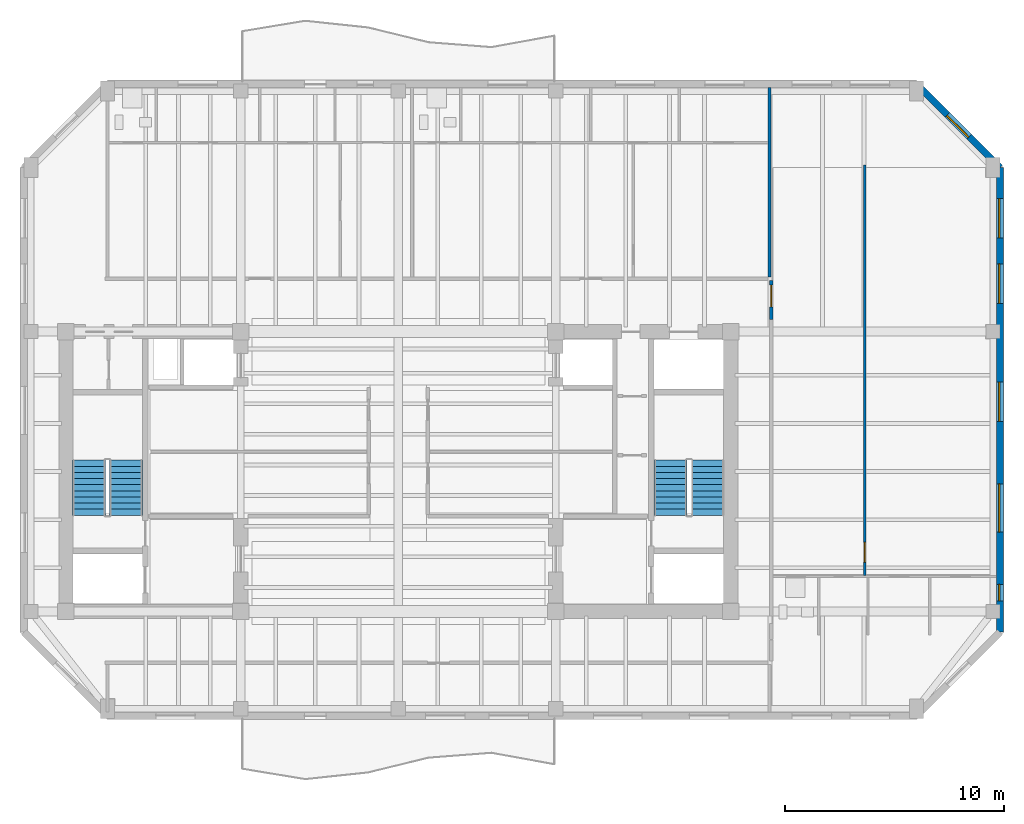
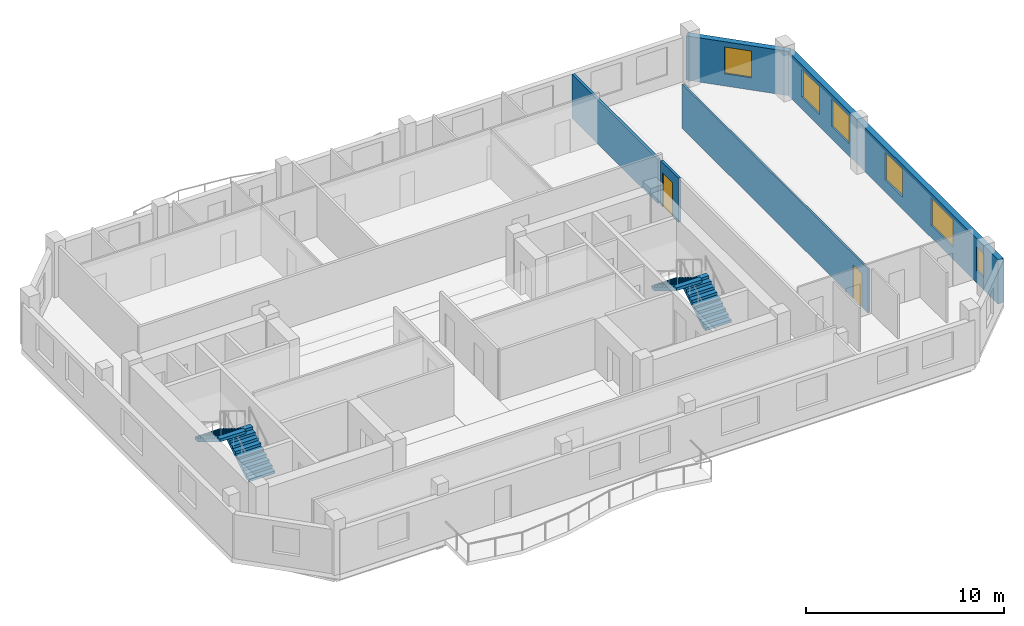
# One storey, part 6 of 9: 6 windows, 5 walls, 4 stair flights, 2 doors, 8 openings, 2 elements without a shape of their own.
"""IFC4 building model written with IfcOpenShell, lengths in metres."""

from ifc_helpers import new_model, si_unit, direction, frame, frame_2d, origin, place, context, subcontext, project, spatial, polyline, rectangle, outline, extrude, material, layer, layer_set, type_object, element, fill, aggregate, save


model = new_model("IFC4")

# Units and contexts
model_context = context("Model", 3, precision=1e-05, world=origin(), true_north=direction((0.0, 1.0)))
body_context = subcontext(model_context, "Body", "Model", "MODEL_VIEW")
ifc_project = project(units=[si_unit("LENGTHUNIT", "METRE"), si_unit("AREAUNIT", "SQUARE_METRE"), si_unit("VOLUMEUNIT", "CUBIC_METRE"), si_unit("PLANEANGLEUNIT", "RADIAN"), si_unit("MASSUNIT", "GRAM", prefix="KILO")], contexts=[model_context])

# Site, building, storey
site_placement = place(None, origin())
site = spatial("IfcSite", under=ifc_project, at=site_placement, CompositionType="ELEMENT")
building_placement = place(site_placement, origin())
building = spatial("IfcBuilding", under=site, at=building_placement, Name="Kranthara Brick Stack", CompositionType="ELEMENT")
storey_placement = place(building_placement, frame((0.0, 0.0, 251.699951171875)))
storey = spatial("IfcBuildingStorey", under=building, at=storey_placement, Name="L66", CompositionType="ELEMENT", Elevation=251.699951171875)

# Wall, opening, window
ifc_material_1 = material(Name="Warm buff clay brick masonry M15", Category="masonry")
ifc_layer_1 = layer(ifc_material_1, 0.320068359375)
ifc_layer_set_1 = layer_set([ifc_layer_1], Name="Warm buff clay brick masonry M15")
wall_type_1 = type_object("IfcWallType", Name="WL-BRK-UPPR-320", PredefinedType="STANDARD", material=ifc_layer_set_1)
wall_1_placement = place(storey_placement, frame((51.699951171875, 44.919921875, 0.0), z_axis=(0.0, 0.0, 1.0), x_axis=(0.70712937715, -0.707084184501, 0.0)))
wall_1 = element("IfcWall", 1, at=wall_1_placement, inside=storey, type_object=wall_type_1, Name="L66 Exterior Brick Facade Wall NE 1", PredefinedType="STANDARD", context=body_context, shape_type="SweptSolid", body=[
    extrude(rectangle(XDim=5.402099609375, YDim=0.320068359375, at=frame_2d((2.701171875, 0.0))), origin(), (0.0, 0.0, 1.0), 2.72509765625),
])
opening_1_placement = place(wall_1_placement, frame((2.0009765625, 0.0, 0.75)))
opening_1 = element("IfcOpeningElement", 2, at=opening_1_placement, cuts=wall_1, Name="Opening WN10", PredefinedType="OPENING", context=body_context, shape_type="SweptSolid", body=[
    extrude(rectangle(XDim=1.39990234375, YDim=1.64990234375, at=frame_2d((0.699951171875, 0.824951171875))), frame((0.0, 0.169921875, 0.0), z_axis=(0.0, -1.0, 0.0), x_axis=(1.0, 0.0, 0.0)), (0.0, 0.0, 1.0), 0.340087890625),
])
ifc_material_2 = material(Name="Double-glazed low-E solar control glass", Category="glass")
window_type_1 = type_object("IfcWindowType", Name="WN-CHM-1400x1750", PartitioningType="SINGLE_PANEL", PredefinedType="WINDOW", material=ifc_material_2)
window_1_placement = place(opening_1_placement, origin())
window_1 = element("IfcWindow", 3, at=window_1_placement, inside=storey, type_object=window_type_1, Name="L66 NE Chamfer Corner Window", OverallHeight=1.64990234375, OverallWidth=1.39990234375, PartitioningType="SINGLE_PANEL", PredefinedType="WINDOW", context=body_context, shape_type="SweptSolid", body=[
    extrude(rectangle(XDim=1.39990234375, YDim=1.64990234375, at=frame_2d((0.699951171875, 0.824951171875))), frame((0.0, -0.010009765625, 0.0), z_axis=(0.0, -1.0, 0.0), x_axis=(1.0, 0.0, 0.0)), (0.0, 0.0, 1.0), 0.06005859375),
])
fill(opening_1, window_1)

# Wall, openings, windows
wall_2_placement = place(storey_placement, frame((55.52001953125, 41.10009765625, 0.0), z_axis=(0.0, 0.0, 1.0), x_axis=(0.0, -1.0, 0.0)))
wall_2 = element("IfcWall", 4, at=wall_2_placement, inside=storey, type_object=wall_type_1, Name="L66 Exterior Brick Facade Wall EAST 1", PredefinedType="STANDARD", context=body_context, shape_type="SweptSolid", body=[
    extrude(rectangle(XDim=21.25, YDim=0.320068359375, at=frame_2d((10.625, 0.0))), origin(), (0.0, 0.0, 1.0), 2.72509765625),
])
opening_2_placement = place(wall_2_placement, frame((1.4189453125, 0.0, 0.75)))
opening_2 = element("IfcOpeningElement", 5, at=opening_2_placement, cuts=wall_2, Name="Opening WN07", PredefinedType="OPENING", context=body_context, shape_type="SweptSolid", body=[
    extrude(rectangle(XDim=1.800048828125, YDim=1.699951171875, at=frame_2d((0.89990234375, 0.85009765625))), frame((0.0, 0.169921875, 0.0), z_axis=(0.0, -1.0, 0.0), x_axis=(1.0, 0.0, 0.0)), (0.0, 0.0, 1.0), 0.340087890625),
])
opening_3_placement = place(wall_2_placement, frame((4.406005859375, 0.0, 0.75)))
opening_3 = element("IfcOpeningElement", 6, at=opening_3_placement, cuts=wall_2, Name="Opening WN07", PredefinedType="OPENING", context=body_context, shape_type="SweptSolid", body=[
    extrude(rectangle(XDim=1.800048828125, YDim=1.699951171875, at=frame_2d((0.89990234375, 0.85009765625))), frame((0.0, 0.169921875, 0.0), z_axis=(0.0, -1.0, 0.0), x_axis=(1.0, 0.0, 0.0)), (0.0, 0.0, 1.0), 0.340087890625),
])
opening_4_placement = place(wall_2_placement, frame((9.806884765625, 0.0, 0.75)))
opening_4 = element("IfcOpeningElement", 7, at=opening_4_placement, cuts=wall_2, Name="Opening WN07", PredefinedType="OPENING", context=body_context, shape_type="SweptSolid", body=[
    extrude(rectangle(XDim=1.800048828125, YDim=1.699951171875, at=frame_2d((0.89990234375, 0.85009765625))), frame((0.0, 0.169921875, 0.0), z_axis=(0.0, -1.0, 0.0), x_axis=(1.0, 0.0, 0.0)), (0.0, 0.0, 1.0), 0.340087890625),
])
opening_5_placement = place(wall_2_placement, frame((14.468017578125, 0.0, 0.75)))
opening_5 = element("IfcOpeningElement", 8, at=opening_5_placement, cuts=wall_2, Name="Opening WN08", PredefinedType="OPENING", context=body_context, shape_type="SweptSolid", body=[
    extrude(rectangle(XDim=2.199951171875, YDim=1.699951171875, at=frame_2d((1.10009765625, 0.85009765625))), frame((0.0, 0.169921875, 0.0), z_axis=(0.0, -1.0, 0.0), x_axis=(1.0, 0.0, 0.0)), (0.0, 0.0, 1.0), 0.340087890625),
])
opening_6_placement = place(wall_2_placement, frame((19.06201171875, 0.0, 0.75)))
opening_6 = element("IfcOpeningElement", 9, at=opening_6_placement, cuts=wall_2, Name="Opening WN13", PredefinedType="OPENING", context=body_context, shape_type="SweptSolid", body=[
    extrude(rectangle(XDim=0.75, YDim=1.449951171875, at=frame_2d((0.375, 0.72509765625))), frame((0.0, 0.169921875, 0.0), z_axis=(0.0, -1.0, 0.0), x_axis=(1.0, 0.0, 0.0)), (0.0, 0.0, 1.0), 0.340087890625),
])
ifc_material_3 = material(Name="Double-glazed low-E solar control glass", Category="glass")
window_type_2 = type_object("IfcWindowType", Name="WN-CAS-750x1450", PartitioningType="SINGLE_PANEL", PredefinedType="WINDOW", material=ifc_material_3)
window_2_placement = place(opening_6_placement, origin())
window_2 = element("IfcWindow", 10, at=window_2_placement, inside=storey, type_object=window_type_2, Name="L66 East Deep-Set Casement Window 05", OverallHeight=1.449951171875, OverallWidth=0.75, PartitioningType="SINGLE_PANEL", PredefinedType="WINDOW", context=body_context, shape_type="SweptSolid", body=[
    extrude(rectangle(XDim=0.75, YDim=1.449951171875, at=frame_2d((0.375, 0.72509765625))), frame((0.0, -0.010009765625, 0.0), z_axis=(0.0, -1.0, 0.0), x_axis=(1.0, 0.0, 0.0)), (0.0, 0.0, 1.0), 0.06005859375),
])
fill(opening_6, window_2)
ifc_material_4 = material(Name="Double-glazed low-E solar control glass", Category="glass")
window_type_3 = type_object("IfcWindowType", Name="WN-RES-1800x1850", PartitioningType="DOUBLE_PANEL_VERTICAL", PredefinedType="WINDOW", material=ifc_material_4)
window_3_placement = place(opening_2_placement, origin())
window_3 = element("IfcWindow", 11, at=window_3_placement, inside=storey, type_object=window_type_3, Name="L66 East Deep-Set Brick Window 01", OverallHeight=1.699951171875, OverallWidth=1.800048828125, PartitioningType="SINGLE_PANEL", PredefinedType="WINDOW", context=body_context, shape_type="SweptSolid", body=[
    extrude(rectangle(XDim=1.800048828125, YDim=1.699951171875, at=frame_2d((0.89990234375, 0.85009765625))), frame((0.0, -0.010009765625, 0.0), z_axis=(0.0, -1.0, 0.0), x_axis=(1.0, 0.0, 0.0)), (0.0, 0.0, 1.0), 0.06005859375),
])
fill(opening_2, window_3)
window_4_placement = place(opening_3_placement, origin())
window_4 = element("IfcWindow", 12, at=window_4_placement, inside=storey, type_object=window_type_3, Name="L66 East Deep-Set Brick Window 02", OverallHeight=1.699951171875, OverallWidth=1.800048828125, PartitioningType="SINGLE_PANEL", PredefinedType="WINDOW", context=body_context, shape_type="SweptSolid", body=[
    extrude(rectangle(XDim=1.800048828125, YDim=1.699951171875, at=frame_2d((0.89990234375, 0.85009765625))), frame((0.0, -0.010009765625, 0.0), z_axis=(0.0, -1.0, 0.0), x_axis=(1.0, 0.0, 0.0)), (0.0, 0.0, 1.0), 0.06005859375),
])
fill(opening_3, window_4)
window_5_placement = place(opening_4_placement, origin())
window_5 = element("IfcWindow", 13, at=window_5_placement, inside=storey, type_object=window_type_3, Name="L66 East Deep-Set Brick Window 03", OverallHeight=1.699951171875, OverallWidth=1.800048828125, PartitioningType="SINGLE_PANEL", PredefinedType="WINDOW", context=body_context, shape_type="SweptSolid", body=[
    extrude(rectangle(XDim=1.800048828125, YDim=1.699951171875, at=frame_2d((0.89990234375, 0.85009765625))), frame((0.0, -0.010009765625, 0.0), z_axis=(0.0, -1.0, 0.0), x_axis=(1.0, 0.0, 0.0)), (0.0, 0.0, 1.0), 0.06005859375),
])
fill(opening_4, window_5)
ifc_material_5 = material(Name="Double-glazed low-E solar control glass", Category="glass")
window_type_4 = type_object("IfcWindowType", Name="WN-RES-2200x1850", PartitioningType="TRIPLE_PANEL_VERTICAL", PredefinedType="WINDOW", material=ifc_material_5)
window_6_placement = place(opening_5_placement, origin())
window_6 = element("IfcWindow", 14, at=window_6_placement, inside=storey, type_object=window_type_4, Name="L66 East Deep-Set Brick Window 04", OverallHeight=1.699951171875, OverallWidth=2.199951171875, PartitioningType="SINGLE_PANEL", PredefinedType="WINDOW", context=body_context, shape_type="SweptSolid", body=[
    extrude(rectangle(XDim=2.199951171875, YDim=1.699951171875, at=frame_2d((1.10009765625, 0.85009765625))), frame((0.0, -0.010009765625, 0.0), z_axis=(0.0, -1.0, 0.0), x_axis=(1.0, 0.0, 0.0)), (0.0, 0.0, 1.0), 0.06005859375),
])
fill(opening_5, window_6)

# Wall, opening, door
ifc_material_6 = material(Name="Moisture-resistant wet-room partition", Category="other")
ifc_layer_2 = layer(ifc_material_6, 0.10009765625)
ifc_layer_set_2 = layer_set([ifc_layer_2], Name="Moisture-resistant wet-room partition")
wall_type_2 = type_object("IfcWallType", Name="WL-PART-100", PredefinedType="PARTITIONING", material=ifc_layer_set_2)
wall_3_placement = place(storey_placement, frame((49.3291015625, 22.455078125, 0.0), z_axis=(0.0, 0.0, 1.0), x_axis=(0.0, 1.0, 0.0)))
wall_3 = element("IfcWall", 15, at=wall_3_placement, inside=storey, type_object=wall_type_2, Name="L66 Interior Partition 033", PredefinedType="PARTITIONING", context=body_context, shape_type="SweptSolid", body=[
    extrude(rectangle(XDim=18.764892578125, YDim=0.10009765625, at=frame_2d((9.38232421875, 0.0))), origin(), (0.0, 0.0, 1.0), 2.72509765625),
])
opening_7_placement = place(wall_3_placement, frame((0.60498046875, 0.0, 0.0)))
opening_7 = element("IfcOpeningElement", 16, at=opening_7_placement, cuts=wall_3, Name="Opening D15", PredefinedType="OPENING", context=body_context, shape_type="SweptSolid", body=[
    extrude(rectangle(XDim=0.89990234375, YDim=2.050048828125, at=frame_2d((0.449951171875, 1.02490234375))), frame((0.0, 0.06005859375, 0.0), z_axis=(0.0, -1.0, 0.0), x_axis=(1.0, 0.0, 0.0)), (0.0, 0.0, 1.0), 0.1201171875),
])
ifc_material_7 = material(Name="Solid-core hardwood timber leaf in steel frame", Category="steel")
door_type_1 = type_object("IfcDoorType", Name="DR-INT-900", OperationType="NOTDEFINED", PredefinedType="DOOR", material=ifc_material_7)
door_1_placement = place(opening_7_placement, origin())
door_1 = element("IfcDoor", 17, at=door_1_placement, inside=storey, type_object=door_type_1, Name="L66 Unit L66C Study 22", OperationType="SINGLE_SWING_RIGHT", OverallHeight=2.050048828125, OverallWidth=0.89990234375, PredefinedType="DOOR", context=body_context, shape_type="SweptSolid", body=[
    extrude(rectangle(XDim=0.89990234375, YDim=2.050048828125, at=frame_2d((0.449951171875, 1.02490234375))), frame((0.0, 0.02490234375, 0.0), z_axis=(0.0, -1.0, 0.0), x_axis=(1.0, 0.0, 0.0)), (0.0, 0.0, 1.0), 0.050048828125),
])
fill(opening_7, door_1)

# Wall
ifc_material_8 = material(Name="Fire-rated gypsum board partition", Category="other")
ifc_layer_3 = layer(ifc_material_8, 0.14990234375)
ifc_layer_set_3 = layer_set([ifc_layer_3], Name="Fire-rated gypsum board partition")
wall_type_3 = type_object("IfcWallType", Name="WL-PART-150", PredefinedType="PARTITIONING", material=ifc_layer_set_3)
wall_4_placement = place(storey_placement, frame((44.97998046875, 36.10009765625, 0.0), z_axis=(0.0, 0.0, 1.0), x_axis=(0.0, 1.0, 0.0)))
element("IfcWall", 18, at=wall_4_placement, inside=storey, type_object=wall_type_3, Name="L66 Interior Partition 026", PredefinedType="PARTITIONING", context=body_context, shape_type="SweptSolid", body=[
    extrude(rectangle(XDim=8.65478515625, YDim=0.14990234375, at=frame_2d((4.327392578125, 0.0))), origin(), (0.0, 0.0, 1.0), 2.72509765625),
])

# Wall, opening, door
wall_5_placement = place(storey_placement, frame((45.050048828125, 34.14990234375, 0.0), z_axis=(0.0, 0.0, 1.0), x_axis=(0.0, 1.0, 0.0)))
wall_5 = element("IfcWall", 19, at=wall_5_placement, inside=storey, type_object=wall_type_3, Name="L66 Interior Partition 030", PredefinedType="PARTITIONING", context=body_context, shape_type="SweptSolid", body=[
    extrude(rectangle(XDim=1.7900390625, YDim=0.14990234375, at=frame_2d((0.89501953125, 0.0))), origin(), (0.0, 0.0, 1.0), 2.72509765625),
])
opening_8_placement = place(wall_5_placement, frame((0.580078125, 0.0, 0.0)))
opening_8 = element("IfcOpeningElement", 20, at=opening_8_placement, cuts=wall_5, Name="Opening D08", PredefinedType="OPENING", context=body_context, shape_type="SweptSolid", body=[
    extrude(rectangle(XDim=1.0, YDim=2.10009765625, at=frame_2d((0.5, 1.050048828125))), frame((0.0, 0.0849609375, 0.0), z_axis=(0.0, -1.0, 0.0), x_axis=(1.0, 0.0, 0.0)), (0.0, 0.0, 1.0), 0.169921875),
])
ifc_material_9 = material(Name="Solid-core hardwood timber leaf in steel frame", Category="steel")
door_type_2 = type_object("IfcDoorType", Name="DR-FD-1000", OperationType="NOTDEFINED", PredefinedType="DOOR", material=ifc_material_9)
door_2_placement = place(opening_8_placement, origin())
door_2 = element("IfcDoor", 21, at=door_2_placement, inside=storey, type_object=door_type_2, Name="L66 Unit L66C Entrance 21", OperationType="SINGLE_SWING_LEFT", OverallHeight=2.10009765625, OverallWidth=1.0, PredefinedType="DOOR", context=body_context, shape_type="SweptSolid", body=[
    extrude(rectangle(XDim=1.0, YDim=2.10009765625, at=frame_2d((0.5, 1.050048828125))), frame((0.0, 0.02490234375, 0.0), z_axis=(0.0, -1.0, 0.0), x_axis=(1.0, 0.0, 0.0)), (0.0, 0.0, 1.0), 0.050048828125),
])
fill(opening_8, door_2)

# Stair, stair flights
ifc_material_10 = material(Name="Concrete C45/55", Category="concrete")
stair_type = type_object("IfcStairType", Name="ST-CORE-20R", PredefinedType="HALF_TURN_STAIR", material=ifc_material_10)
stair_1_placement = place(storey_placement, origin())
stair_1 = element("IfcStair", 22, at=stair_1_placement, inside=storey, type_object=stair_type, Name="L66 West Core Protected Exit Stair ST01", PredefinedType="HALF_TURN_STAIR")
ifc_material_11 = material(Name="Concrete C45/55", Category="concrete")
stair_flight_type = type_object("IfcStairFlightType", Name="SFL-RC-20R", PredefinedType="STRAIGHT", material=ifc_material_11)
stair_flight_1_placement = place(storey_placement, frame((15.550048828125, 25.199951171875, 0.0), z_axis=(0.0, 0.0, 1.0), x_axis=(0.0, 1.0, 0.0)))
stair_flight_1 = element("IfcStairFlight", 23, at=stair_flight_1_placement, type_object=stair_flight_type, Name="ST01 flight 1", NumberOfRisers=10, NumberOfTreads=9, PredefinedType="STRAIGHT", RiserHeight=0.17, TreadLength=0.28, context=body_context, shape_type="SweptSolid", body=[
    extrude(outline(polyline([(0.0, 0.0), (0.0, 0.169921875), (0.280029296875, 0.169921875), (0.280029296875, 0.340087890625), (0.56005859375, 0.340087890625), (0.56005859375, 0.510009765625), (0.840087890625, 0.510009765625), (0.840087890625, 0.679931640625), (1.1201171875, 0.679931640625), (1.1201171875, 0.85009765625), (1.39990234375, 0.85009765625), (1.39990234375, 1.02001953125), (1.679931640625, 1.02001953125), (1.679931640625, 1.18994140625), (1.9599609375, 1.18994140625), (1.9599609375, 1.360107421875), (2.239990234375, 1.360107421875), (2.239990234375, 1.530029296875), (2.52001953125, 1.530029296875), (2.52001953125, 1.699951171875), (2.52001953125, 1.354736328125), (0.288818359375, 0.0), (0.0, 0.0)])), frame((0.0, 0.75, 0.0), z_axis=(0.0, -1.0, 0.0), x_axis=(1.0, 0.0, 0.0)), (0.0, 0.0, 1.0), 1.5),
])
stair_flight_2_placement = place(storey_placement, frame((13.85009765625, 27.719970703125, 1.699951171875), z_axis=(0.0, 0.0, 1.0), x_axis=(0.0, -1.0, 0.0)))
stair_flight_2 = element("IfcStairFlight", 24, at=stair_flight_2_placement, type_object=stair_flight_type, Name="ST01 flight 2", NumberOfRisers=10, NumberOfTreads=9, PredefinedType="STRAIGHT", RiserHeight=0.17, TreadLength=0.28, context=body_context, shape_type="SweptSolid", body=[
    extrude(outline(polyline([(0.0, 0.0), (0.0, 0.169921875), (0.280029296875, 0.169921875), (0.280029296875, 0.340087890625), (0.56005859375, 0.340087890625), (0.56005859375, 0.510009765625), (0.840087890625, 0.510009765625), (0.840087890625, 0.679931640625), (1.1201171875, 0.679931640625), (1.1201171875, 0.85009765625), (1.39990234375, 0.85009765625), (1.39990234375, 1.02001953125), (1.679931640625, 1.02001953125), (1.679931640625, 1.18994140625), (1.9599609375, 1.18994140625), (1.9599609375, 1.360107421875), (2.239990234375, 1.360107421875), (2.239990234375, 1.530029296875), (2.52001953125, 1.530029296875), (2.52001953125, 1.699951171875), (2.52001953125, 1.354736328125), (0.288818359375, 0.0), (0.0, 0.0)])), frame((0.0, 0.75, 0.0), z_axis=(0.0, -1.0, 0.0), x_axis=(1.0, 0.0, 0.0)), (0.0, 0.0, 1.0), 1.5),
])
aggregate(stair_1, [stair_flight_1, stair_flight_2])

stair_2_placement = place(storey_placement, origin())
stair_2 = element("IfcStair", 25, at=stair_2_placement, inside=storey, type_object=stair_type, Name="L66 East Core Protected Exit Stair ST02", PredefinedType="HALF_TURN_STAIR")
stair_flight_3_placement = place(storey_placement, frame((42.14990234375, 25.199951171875, 0.0), z_axis=(0.0, 0.0, 1.0), x_axis=(0.0, 1.0, 0.0)))
stair_flight_3 = element("IfcStairFlight", 26, at=stair_flight_3_placement, type_object=stair_flight_type, Name="ST02 flight 1", NumberOfRisers=10, NumberOfTreads=9, PredefinedType="STRAIGHT", RiserHeight=0.17, TreadLength=0.28, context=body_context, shape_type="SweptSolid", body=[
    extrude(outline(polyline([(0.0, 0.0), (0.0, 0.169921875), (0.280029296875, 0.169921875), (0.280029296875, 0.340087890625), (0.56005859375, 0.340087890625), (0.56005859375, 0.510009765625), (0.840087890625, 0.510009765625), (0.840087890625, 0.679931640625), (1.1201171875, 0.679931640625), (1.1201171875, 0.85009765625), (1.39990234375, 0.85009765625), (1.39990234375, 1.02001953125), (1.679931640625, 1.02001953125), (1.679931640625, 1.18994140625), (1.9599609375, 1.18994140625), (1.9599609375, 1.360107421875), (2.239990234375, 1.360107421875), (2.239990234375, 1.530029296875), (2.52001953125, 1.530029296875), (2.52001953125, 1.699951171875), (2.52001953125, 1.354736328125), (0.288818359375, 0.0), (0.0, 0.0)])), frame((0.0, 0.75, 0.0), z_axis=(0.0, -1.0, 0.0), x_axis=(1.0, 0.0, 0.0)), (0.0, 0.0, 1.0), 1.5),
])
stair_flight_4_placement = place(storey_placement, frame((40.449951171875, 27.719970703125, 1.699951171875), z_axis=(0.0, 0.0, 1.0), x_axis=(0.0, -1.0, 0.0)))
stair_flight_4 = element("IfcStairFlight", 27, at=stair_flight_4_placement, type_object=stair_flight_type, Name="ST02 flight 2", NumberOfRisers=10, NumberOfTreads=9, PredefinedType="STRAIGHT", RiserHeight=0.17, TreadLength=0.28, context=body_context, shape_type="SweptSolid", body=[
    extrude(outline(polyline([(0.0, 0.0), (0.0, 0.169921875), (0.280029296875, 0.169921875), (0.280029296875, 0.340087890625), (0.56005859375, 0.340087890625), (0.56005859375, 0.510009765625), (0.840087890625, 0.510009765625), (0.840087890625, 0.679931640625), (1.1201171875, 0.679931640625), (1.1201171875, 0.85009765625), (1.39990234375, 0.85009765625), (1.39990234375, 1.02001953125), (1.679931640625, 1.02001953125), (1.679931640625, 1.18994140625), (1.9599609375, 1.18994140625), (1.9599609375, 1.360107421875), (2.239990234375, 1.360107421875), (2.239990234375, 1.530029296875), (2.52001953125, 1.530029296875), (2.52001953125, 1.699951171875), (2.52001953125, 1.354736328125), (0.288818359375, 0.0), (0.0, 0.0)])), frame((0.0, 0.75, 0.0), z_axis=(0.0, -1.0, 0.0), x_axis=(1.0, 0.0, 0.0)), (0.0, 0.0, 1.0), 1.5),
])
aggregate(stair_2, [stair_flight_3, stair_flight_4])

save(model, "model.ifc")
